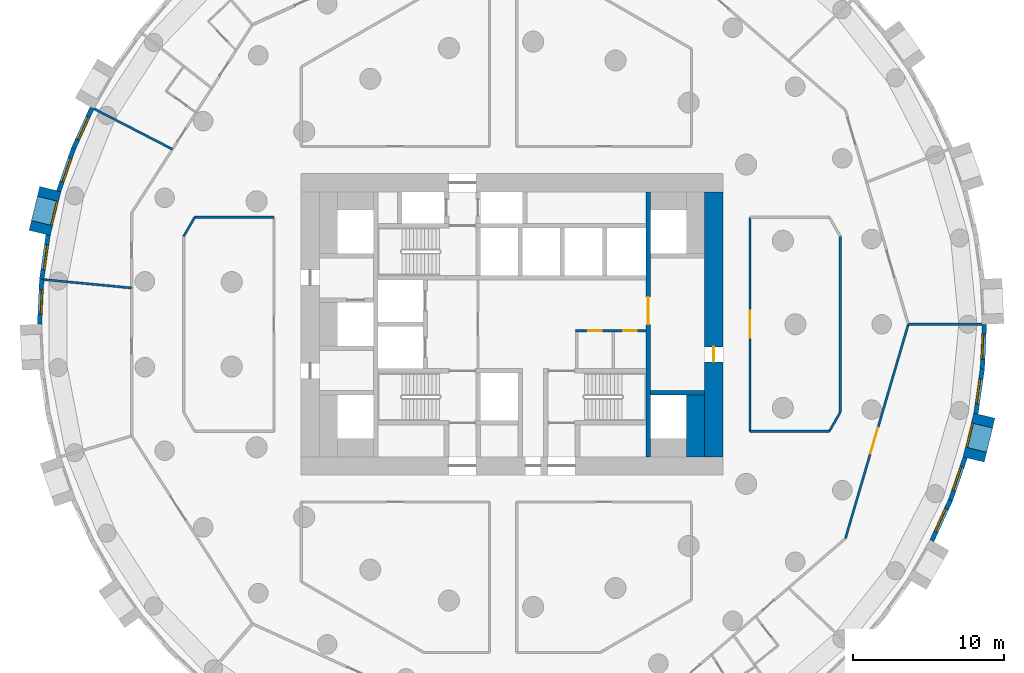
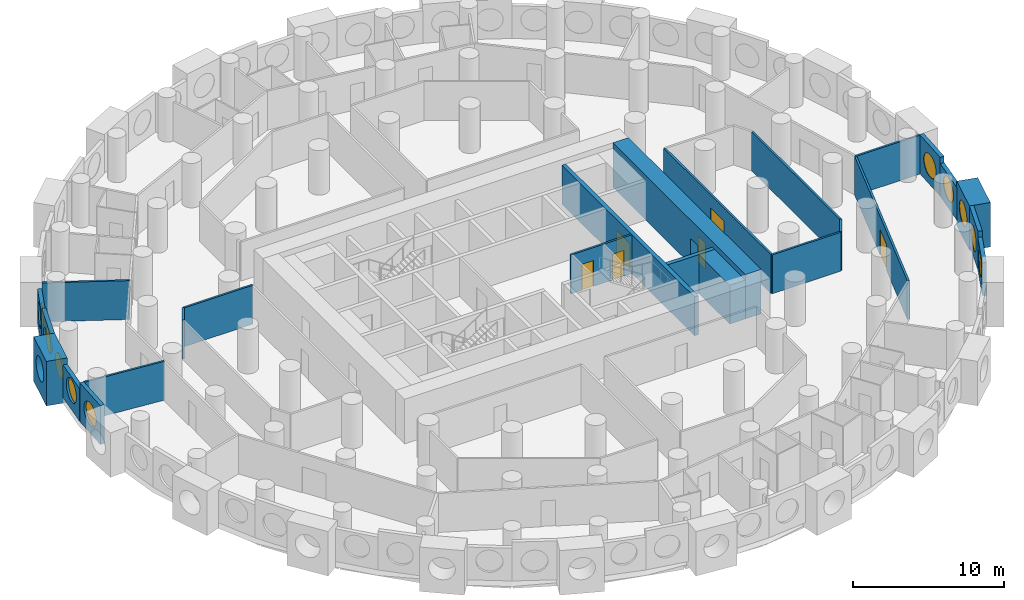
# One storey, part 6 of 11: 25 walls, 10 windows, 6 doors, 16 openings.
"""IFC4 building model written with IfcOpenShell, lengths in metres."""

from ifc_helpers import new_model, si_unit, direction, frame, frame_2d, origin, origin_2d, place, context, subcontext, project, spatial, rectangle, circle, extrude, material, layer, layer_set, type_object, element, fill, save


model = new_model("IFC4")

# Units and contexts
model_context = context("Model", 3, precision=1e-05, world=origin(), true_north=direction((0.0, 1.0)))
body_context = subcontext(model_context, "Body", "Model", "MODEL_VIEW")
ifc_project = project(units=[si_unit("LENGTHUNIT", "METRE"), si_unit("AREAUNIT", "SQUARE_METRE"), si_unit("VOLUMEUNIT", "CUBIC_METRE"), si_unit("PLANEANGLEUNIT", "RADIAN"), si_unit("MASSUNIT", "GRAM", prefix="KILO")], contexts=[model_context])

# Site, building, storey
site_placement = place(None, origin())
site = spatial("IfcSite", under=ifc_project, at=site_placement, CompositionType="ELEMENT")
building_placement = place(site_placement, origin())
building = spatial("IfcBuilding", under=site, at=building_placement, Name="Tracery Tower", CompositionType="ELEMENT")
storey_placement = place(building_placement, frame((0.0, 0.0, 96.60009765625)))
storey = spatial("IfcBuildingStorey", under=building, at=storey_placement, Name="L24", CompositionType="ELEMENT", Elevation=96.60009765625)

# Wall, openings, doors
ifc_material_1 = material(Name="Plasterboard on steel studs", Category="steel")
ifc_layer_1 = layer(ifc_material_1, 0.14990234375)
ifc_layer_set_1 = layer_set([ifc_layer_1], Name="Core room partition 150")
wall_type_1 = type_object("IfcWallType", Name="Core room partition 150", PredefinedType="SOLIDWALL", material=ifc_layer_set_1)
wall_1_placement = place(storey_placement, frame((4.22509765625, -0.425048828125, 0.0), z_axis=(0.0, 0.0, 1.0), x_axis=(1.0, 0.0, 0.0)))
wall_1 = element("IfcWall", 1, at=wall_1_placement, inside=storey, type_object=wall_type_1, Name="L24 slot N", PredefinedType="SOLIDWALL", context=body_context, shape_type="SweptSolid", body=[
    extrude(rectangle(XDim=4.6748046875, YDim=0.14990234375, at=frame_2d((2.33740234375, 0.0))), origin(), (0.0, 0.0, 1.0), 3.14990234375),
])
opening_1_placement = place(wall_1_placement, frame((0.83740234375, 0.0, 0.0)))
opening_1 = element("IfcOpeningElement", 2, at=opening_1_placement, cuts=wall_1, Name="Opening KD27", PredefinedType="OPENING", context=body_context, shape_type="SweptSolid", body=[
    extrude(rectangle(XDim=0.89990234375, YDim=2.10009765625, at=frame_2d((0.449951171875, 1.050048828125))), frame((0.0, 0.074951171875, 0.0), z_axis=(0.0, -1.0, 0.0), x_axis=(1.0, 0.0, 0.0)), (0.0, 0.0, 1.0), 0.14990234375),
])
opening_2_placement = place(wall_1_placement, frame((3.175048828125, 0.0, 0.0)))
opening_2 = element("IfcOpeningElement", 3, at=opening_2_placement, cuts=wall_1, Name="Opening KD21", PredefinedType="OPENING", context=body_context, shape_type="SweptSolid", body=[
    extrude(rectangle(XDim=0.89990234375, YDim=2.10009765625, at=frame_2d((0.449951171875, 1.050048828125))), frame((0.0, 0.074951171875, 0.0), z_axis=(0.0, -1.0, 0.0), x_axis=(1.0, 0.0, 0.0)), (0.0, 0.0, 1.0), 0.14990234375),
])
ifc_material_2 = material(Name="Timber door leaf", Category="wood")
door_type_1 = type_object("IfcDoorType", Name="Core WC door 900", OperationType="NOTDEFINED", PredefinedType="DOOR", material=ifc_material_2)
door_1_placement = place(opening_2_placement, origin())
door_1 = element("IfcDoor", 4, at=door_1_placement, inside=storey, type_object=door_type_1, Name="Core door", OperationType="SINGLE_SWING_LEFT", OverallHeight=2.10009765625, OverallWidth=0.89990234375, PredefinedType="DOOR", context=body_context, shape_type="SweptSolid", body=[
    extrude(rectangle(XDim=0.89990234375, YDim=2.10009765625, at=frame_2d((0.449951171875, 1.050048828125))), frame((0.0, 0.02490234375, 0.0), z_axis=(0.0, -1.0, 0.0), x_axis=(1.0, 0.0, 0.0)), (0.0, 0.0, 1.0), 0.050048828125),
])
fill(opening_2, door_1)
ifc_material_3 = material(Name="Timber door leaf", Category="wood")
door_type_2 = type_object("IfcDoorType", Name="Core store door 900", OperationType="NOTDEFINED", PredefinedType="DOOR", material=ifc_material_3)
door_2_placement = place(opening_1_placement, origin())
door_2 = element("IfcDoor", 5, at=door_2_placement, inside=storey, type_object=door_type_2, Name="Core door", OperationType="SINGLE_SWING_RIGHT", OverallHeight=2.10009765625, OverallWidth=0.89990234375, PredefinedType="DOOR", context=body_context, shape_type="SweptSolid", body=[
    extrude(rectangle(XDim=0.89990234375, YDim=2.10009765625, at=frame_2d((0.449951171875, 1.050048828125))), frame((0.0, 0.02490234375, 0.0), z_axis=(0.0, -1.0, 0.0), x_axis=(1.0, 0.0, 0.0)), (0.0, 0.0, 1.0), 0.050048828125),
])
fill(opening_1, door_2)

# Wall
ifc_material_4 = material(Name="Concrete C60/75", Category="concrete")
ifc_layer_2 = layer(ifc_material_4, 1.199951171875)
ifc_layer_set_2 = layer_set([ifc_layer_2], Name="Core strip wall 1200 C60")
wall_type_2 = type_object("IfcWallType", Name="Core strip wall 1200 C60", PredefinedType="SOLIDWALL", material=ifc_layer_set_2)
wall_2_placement = place(storey_placement, frame((12.199951171875, -8.800048828125, 0.0), z_axis=(0.0, 0.0, 1.0), x_axis=(0.0, 1.0, 0.0)))
element("IfcWall", 6, at=wall_2_placement, inside=storey, type_object=wall_type_2, Name="L24 wing strip +1 -9.4", PredefinedType="SOLIDWALL", context=body_context, shape_type="SweptSolid", body=[
    extrude(rectangle(XDim=4.10009765625, YDim=1.199951171875, at=frame_2d((2.050048828125, 0.0))), origin(), (0.0, 0.0, 1.0), 3.14990234375),
])

# Wall, opening, door
ifc_material_5 = material(Name="Concrete C60/75", Category="concrete")
ifc_layer_3 = layer(ifc_material_5, 1.199951171875)
ifc_layer_set_3 = layer_set([ifc_layer_3], Name="Core wall 1200 C60")
wall_type_3 = type_object("IfcWallType", Name="Core wall 1200 C60", PredefinedType="SOLIDWALL", material=ifc_layer_set_3)
wall_3_placement = place(storey_placement, frame((13.39990234375, -8.800048828125, 0.0), z_axis=(0.0, 0.0, 1.0), x_axis=(0.0, 1.0, 0.0)))
wall_3 = element("IfcWall", 7, at=wall_3_placement, inside=storey, type_object=wall_type_3, Name="L24 outer E", PredefinedType="SOLIDWALL", context=body_context, shape_type="SweptSolid", body=[
    extrude(rectangle(XDim=17.60009765625, YDim=1.199951171875, at=frame_2d((8.800048828125, 0.0))), origin(), (0.0, 0.0, 1.0), 3.599853515625),
])
opening_3_placement = place(wall_3_placement, frame((6.300048828125, 0.0, 0.0)))
opening_3 = element("IfcOpeningElement", 8, at=opening_3_placement, cuts=wall_3, Name="Opening KD18", PredefinedType="OPENING", context=body_context, shape_type="SweptSolid", body=[
    extrude(rectangle(XDim=1.0, YDim=2.10009765625, at=frame_2d((0.5, 1.050048828125))), frame((0.0, 0.60009765625, 0.0), z_axis=(0.0, -1.0, 0.0), x_axis=(1.0, 0.0, 0.0)), (0.0, 0.0, 1.0), 1.199951171875),
])
ifc_material_6 = material(Name="Steel fire door", Category="steel")
door_type_3 = type_object("IfcDoorType", Name="Core exit door 1000", OperationType="NOTDEFINED", PredefinedType="DOOR", material=ifc_material_6)
door_3_placement = place(opening_3_placement, origin())
door_3 = element("IfcDoor", 9, at=door_3_placement, inside=storey, type_object=door_type_3, Name="Core exit door", OperationType="DOUBLE_DOOR_SINGLE_SWING", OverallHeight=2.10009765625, OverallWidth=1.0, PredefinedType="DOOR", context=body_context, shape_type="SweptSolid", body=[
    extrude(rectangle(XDim=1.0, YDim=2.10009765625, at=frame_2d((0.5, 1.050048828125))), frame((0.0, 0.02490234375, 0.0), z_axis=(0.0, -1.0, 0.0), x_axis=(1.0, 0.0, 0.0)), (0.0, 0.0, 1.0), 0.050048828125),
])
fill(opening_3, door_3)

# Wall, opening, window
ifc_material_7 = material(Name="Precast concrete C50/60", Category="concrete")
ifc_layer_4 = layer(ifc_material_7, 1.449951171875)
ifc_layer_set_4 = layer_set([ifc_layer_4], Name="Deep-set bay unit 3000 x 3600, slab edge 450")
wall_type_4 = type_object("IfcWallType", Name="Deep-set bay unit 3000 x 3600, slab edge 450", PredefinedType="ELEMENTEDWALL", material=ifc_layer_set_4)
wall_4_placement = place(storey_placement, frame((-30.66064453125, 8.981689453125, -0.4501953125), z_axis=(0.0, 0.0, 1.0), x_axis=(-0.235751415068, -0.971813392732, 0.0)))
wall_4 = element("IfcWall", 10, at=wall_4_placement, inside=storey, type_object=wall_type_4, Name="Deep-set bay unit 31 at L24", PredefinedType="ELEMENTEDWALL", context=body_context, shape_type="SweptSolid", body=[
    extrude(rectangle(XDim=3.0, YDim=1.449951171875, at=frame_2d((1.5, 0.0))), origin(), (0.0, 0.0, 1.0), 3.60009765625),
])
opening_4_placement = place(wall_4_placement, frame((1.5, 0.0, 2.0)))
opening_4 = element("IfcOpeningElement", 11, at=opening_4_placement, cuts=wall_4, Name="Opening WN1", PredefinedType="OPENING", context=body_context, shape_type="SweptSolid", body=[
    extrude(circle(Radius=0.9000244140625, at=origin_2d()), frame((0.0, 0.73486328125, 0.0), z_axis=(0.0, -1.0, 0.0), x_axis=(1.0, 0.0, 0.0)), (0.0, 0.0, 1.0), 1.469970703125),
])
ifc_material_8 = material(Name="Aluminium frame with tinted double glazing", Category="aluminium")
window_type = type_object("IfcWindowType", Name="Round window 1800", PartitioningType="SINGLE_PANEL", PredefinedType="WINDOW", material=ifc_material_8)
window_1_placement = place(opening_4_placement, origin())
window_1 = element("IfcWindow", 12, at=window_1_placement, inside=storey, type_object=window_type, Name="Round window 31 at L24", OverallHeight=1.800048828125, OverallWidth=1.800048828125, PartitioningType="SINGLE_PANEL", PredefinedType="WINDOW", context=body_context, shape_type="SweptSolid", body=[
    extrude(circle(Radius=0.9000244140625, at=origin_2d()), frame((0.0, 0.69482421875, 0.0), z_axis=(0.0, -1.0, 0.0), x_axis=(1.0, 0.0, 0.0)), (0.0, 0.0, 1.0), 0.10009765625),
])
fill(opening_4, window_1)

wall_5_placement = place(storey_placement, frame((30.66064453125, -8.981689453125, -0.4501953125), z_axis=(0.0, 0.0, 1.0), x_axis=(0.235751415068, 0.971813392732, 0.0)))
wall_5 = element("IfcWall", 13, at=wall_5_placement, inside=storey, type_object=wall_type_4, Name="Deep-set bay unit 64 at L24", PredefinedType="ELEMENTEDWALL", context=body_context, shape_type="SweptSolid", body=[
    extrude(rectangle(XDim=3.0, YDim=1.449951171875, at=frame_2d((1.5, 0.0))), origin(), (0.0, 0.0, 1.0), 3.60009765625),
])
opening_5_placement = place(wall_5_placement, frame((1.5, 0.0, 2.0)))
opening_5 = element("IfcOpeningElement", 14, at=opening_5_placement, cuts=wall_5, Name="Opening WN1", PredefinedType="OPENING", context=body_context, shape_type="SweptSolid", body=[
    extrude(circle(Radius=0.9000244140625, at=origin_2d()), frame((0.0, 0.73486328125, 0.0), z_axis=(0.0, -1.0, 0.0), x_axis=(1.0, 0.0, 0.0)), (0.0, 0.0, 1.0), 1.469970703125),
])
window_2_placement = place(opening_5_placement, origin())
window_2 = element("IfcWindow", 15, at=window_2_placement, inside=storey, type_object=window_type, Name="Round window 64 at L24", OverallHeight=1.800048828125, OverallWidth=1.800048828125, PartitioningType="SINGLE_PANEL", PredefinedType="WINDOW", context=body_context, shape_type="SweptSolid", body=[
    extrude(circle(Radius=0.9000244140625, at=origin_2d()), frame((0.0, 0.69482421875, 0.0), z_axis=(0.0, -1.0, 0.0), x_axis=(1.0, 0.0, 0.0)), (0.0, 0.0, 1.0), 0.10009765625),
])
fill(opening_5, window_2)

ifc_material_9 = material(Name="Precast concrete C50/60", Category="concrete")
ifc_layer_5 = layer(ifc_material_9, 0.300048828125)
ifc_layer_set_5 = layer_set([ifc_layer_5], Name="Facade panel 3000 x 2650")
wall_type_5 = type_object("IfcWallType", Name="Facade panel 3000 x 2650", PredefinedType="SOLIDWALL", material=ifc_layer_set_5)
wall_6_placement = place(storey_placement, frame((-27.88916015625, 14.37109375, 0.0), z_axis=(0.0, 0.0, 1.0), x_axis=(-0.415407317162, -0.909635509888, 0.0)))
wall_6 = element("IfcWall", 16, at=wall_6_placement, inside=storey, type_object=wall_type_5, Name="Facade panel 29 at L24", PredefinedType="SOLIDWALL", context=body_context, shape_type="SweptSolid", body=[
    extrude(rectangle(XDim=2.979736328125, YDim=0.300048828125, at=frame_2d((1.48974609375, 0.0))), origin(), (0.0, 0.0, 1.0), 2.64990234375),
])
opening_6_placement = place(wall_6_placement, frame((1.48974609375, 0.0, 1.5498046875)))
opening_6 = element("IfcOpeningElement", 17, at=opening_6_placement, cuts=wall_6, Name="Opening WN1", PredefinedType="OPENING", context=body_context, shape_type="SweptSolid", body=[
    extrude(circle(Radius=0.9000244140625, at=origin_2d()), frame((0.0, 0.159912109375, 0.0), z_axis=(0.0, -1.0, 0.0), x_axis=(1.0, 0.0, 0.0)), (0.0, 0.0, 1.0), 0.320068359375),
])
window_3_placement = place(opening_6_placement, origin())
window_3 = element("IfcWindow", 18, at=window_3_placement, inside=storey, type_object=window_type, Name="Round window 29 at L24", OverallHeight=1.800048828125, OverallWidth=1.800048828125, PartitioningType="SINGLE_PANEL", PredefinedType="WINDOW", context=body_context, shape_type="SweptSolid", body=[
    extrude(circle(Radius=0.9000244140625, at=origin_2d()), frame((0.0, 0.1201171875, 0.0), z_axis=(0.0, -1.0, 0.0), x_axis=(1.0, 0.0, 0.0)), (0.0, 0.0, 1.0), 0.10009765625),
])
fill(opening_6, window_3)

wall_7_placement = place(storey_placement, frame((-30.808349609375, 5.931640625, 0.0), z_axis=(0.0, 0.0, 1.0), x_axis=(-0.142327539111, -0.989819615693, 0.0)))
wall_7 = element("IfcWall", 19, at=wall_7_placement, inside=storey, type_object=wall_type_5, Name="Facade panel 32 at L24", PredefinedType="SOLIDWALL", context=body_context, shape_type="SweptSolid", body=[
    extrude(rectangle(XDim=2.9794921875, YDim=0.300048828125, at=frame_2d((1.48974609375, 0.0))), origin(), (0.0, 0.0, 1.0), 2.64990234375),
])
opening_7_placement = place(wall_7_placement, frame((1.48974609375, 0.0, 1.5498046875)))
opening_7 = element("IfcOpeningElement", 20, at=opening_7_placement, cuts=wall_7, Name="Opening WN1", PredefinedType="OPENING", context=body_context, shape_type="SweptSolid", body=[
    extrude(circle(Radius=0.9000244140625, at=origin_2d()), frame((0.0, 0.159912109375, 0.0), z_axis=(0.0, -1.0, 0.0), x_axis=(1.0, 0.0, 0.0)), (0.0, 0.0, 1.0), 0.320068359375),
])
window_4_placement = place(opening_7_placement, origin())
window_4 = element("IfcWindow", 21, at=window_4_placement, inside=storey, type_object=window_type, Name="Round window 32 at L24", OverallHeight=1.800048828125, OverallWidth=1.800048828125, PartitioningType="SINGLE_PANEL", PredefinedType="WINDOW", context=body_context, shape_type="SweptSolid", body=[
    extrude(circle(Radius=0.9000244140625, at=origin_2d()), frame((0.0, 0.1201171875, 0.0), z_axis=(0.0, -1.0, 0.0), x_axis=(1.0, 0.0, 0.0)), (0.0, 0.0, 1.0), 0.10009765625),
])
fill(opening_7, window_4)

wall_8_placement = place(storey_placement, frame((27.88916015625, -14.37109375, 0.0), z_axis=(0.0, 0.0, 1.0), x_axis=(0.415407317162, 0.909635509888, 0.0)))
wall_8 = element("IfcWall", 22, at=wall_8_placement, inside=storey, type_object=wall_type_5, Name="Facade panel 62 at L24", PredefinedType="SOLIDWALL", context=body_context, shape_type="SweptSolid", body=[
    extrude(rectangle(XDim=2.979736328125, YDim=0.300048828125, at=frame_2d((1.48974609375, 0.0))), origin(), (0.0, 0.0, 1.0), 2.64990234375),
])
opening_8_placement = place(wall_8_placement, frame((1.48974609375, 0.0, 1.5498046875)))
opening_8 = element("IfcOpeningElement", 23, at=opening_8_placement, cuts=wall_8, Name="Opening WN1", PredefinedType="OPENING", context=body_context, shape_type="SweptSolid", body=[
    extrude(circle(Radius=0.9000244140625, at=origin_2d()), frame((0.0, 0.159912109375, 0.0), z_axis=(0.0, -1.0, 0.0), x_axis=(1.0, 0.0, 0.0)), (0.0, 0.0, 1.0), 0.320068359375),
])
window_5_placement = place(opening_8_placement, origin())
window_5 = element("IfcWindow", 24, at=window_5_placement, inside=storey, type_object=window_type, Name="Round window 62 at L24", OverallHeight=1.800048828125, OverallWidth=1.800048828125, PartitioningType="SINGLE_PANEL", PredefinedType="WINDOW", context=body_context, shape_type="SweptSolid", body=[
    extrude(circle(Radius=0.9000244140625, at=origin_2d()), frame((0.0, 0.1201171875, 0.0), z_axis=(0.0, -1.0, 0.0), x_axis=(1.0, 0.0, 0.0)), (0.0, 0.0, 1.0), 0.10009765625),
])
fill(opening_8, window_5)

wall_9_placement = place(storey_placement, frame((30.808349609375, -5.931640625, 0.0), z_axis=(0.0, 0.0, 1.0), x_axis=(0.142327539111, 0.989819615693, 0.0)))
wall_9 = element("IfcWall", 25, at=wall_9_placement, inside=storey, type_object=wall_type_5, Name="Facade panel 65 at L24", PredefinedType="SOLIDWALL", context=body_context, shape_type="SweptSolid", body=[
    extrude(rectangle(XDim=2.9794921875, YDim=0.300048828125, at=frame_2d((1.48974609375, 0.0))), origin(), (0.0, 0.0, 1.0), 2.64990234375),
])
opening_9_placement = place(wall_9_placement, frame((1.48974609375, 0.0, 1.5498046875)))
opening_9 = element("IfcOpeningElement", 26, at=opening_9_placement, cuts=wall_9, Name="Opening WN1", PredefinedType="OPENING", context=body_context, shape_type="SweptSolid", body=[
    extrude(circle(Radius=0.9000244140625, at=origin_2d()), frame((0.0, 0.159912109375, 0.0), z_axis=(0.0, -1.0, 0.0), x_axis=(1.0, 0.0, 0.0)), (0.0, 0.0, 1.0), 0.320068359375),
])
window_6_placement = place(opening_9_placement, origin())
window_6 = element("IfcWindow", 27, at=window_6_placement, inside=storey, type_object=window_type, Name="Round window 65 at L24", OverallHeight=1.800048828125, OverallWidth=1.800048828125, PartitioningType="SINGLE_PANEL", PredefinedType="WINDOW", context=body_context, shape_type="SweptSolid", body=[
    extrude(circle(Radius=0.9000244140625, at=origin_2d()), frame((0.0, 0.1201171875, 0.0), z_axis=(0.0, -1.0, 0.0), x_axis=(1.0, 0.0, 0.0)), (0.0, 0.0, 1.0), 0.10009765625),
])
fill(opening_9, window_6)

ifc_material_10 = material(Name="Precast concrete C50/60", Category="concrete")
ifc_layer_6 = layer(ifc_material_10, 0.300048828125)
ifc_layer_set_6 = layer_set([ifc_layer_6], Name="Facade panel 3000 x 3150")
wall_type_6 = type_object("IfcWallType", Name="Facade panel 3000 x 3150", PredefinedType="SOLIDWALL", material=ifc_layer_set_6)
wall_10_placement = place(storey_placement, frame((-29.126953125, 11.66064453125, 0.0), z_axis=(0.0, 0.0, 1.0), x_axis=(-0.327096492592, -0.944990944154, 0.0)))
wall_10 = element("IfcWall", 28, at=wall_10_placement, inside=storey, type_object=wall_type_6, Name="Facade panel 30 at L24", PredefinedType="SOLIDWALL", context=body_context, shape_type="SweptSolid", body=[
    extrude(rectangle(XDim=2.9794921875, YDim=0.300048828125, at=frame_2d((1.48974609375, 0.0))), origin(), (0.0, 0.0, 1.0), 3.14990234375),
])
opening_10_placement = place(wall_10_placement, frame((1.48974609375, 0.0, 1.5498046875)))
opening_10 = element("IfcOpeningElement", 29, at=opening_10_placement, cuts=wall_10, Name="Opening WN1", PredefinedType="OPENING", context=body_context, shape_type="SweptSolid", body=[
    extrude(circle(Radius=0.9000244140625, at=origin_2d()), frame((0.0, 0.159912109375, 0.0), z_axis=(0.0, -1.0, 0.0), x_axis=(1.0, 0.0, 0.0)), (0.0, 0.0, 1.0), 0.320068359375),
])
window_7_placement = place(opening_10_placement, origin())
window_7 = element("IfcWindow", 30, at=window_7_placement, inside=storey, type_object=window_type, Name="Round window 30 at L24", OverallHeight=1.800048828125, OverallWidth=1.800048828125, PartitioningType="SINGLE_PANEL", PredefinedType="WINDOW", context=body_context, shape_type="SweptSolid", body=[
    extrude(circle(Radius=0.9000244140625, at=origin_2d()), frame((0.0, 0.1201171875, 0.0), z_axis=(0.0, -1.0, 0.0), x_axis=(1.0, 0.0, 0.0)), (0.0, 0.0, 1.0), 0.10009765625),
])
fill(opening_10, window_7)

wall_11_placement = place(storey_placement, frame((-31.232421875, 2.982421875, 0.0), z_axis=(0.0, 0.0, 1.0), x_axis=(-0.047522328113, -0.998870175914, 0.0)))
wall_11 = element("IfcWall", 31, at=wall_11_placement, inside=storey, type_object=wall_type_6, Name="Facade panel 33 at L24", PredefinedType="SOLIDWALL", context=body_context, shape_type="SweptSolid", body=[
    extrude(rectangle(XDim=2.979736328125, YDim=0.300048828125, at=frame_2d((1.48974609375, 0.0))), origin(), (0.0, 0.0, 1.0), 3.14990234375),
])
opening_11_placement = place(wall_11_placement, frame((1.48974609375, 0.0, 1.5498046875)))
opening_11 = element("IfcOpeningElement", 32, at=opening_11_placement, cuts=wall_11, Name="Opening WN1", PredefinedType="OPENING", context=body_context, shape_type="SweptSolid", body=[
    extrude(circle(Radius=0.9000244140625, at=origin_2d()), frame((0.0, 0.159912109375, 0.0), z_axis=(0.0, -1.0, 0.0), x_axis=(1.0, 0.0, 0.0)), (0.0, 0.0, 1.0), 0.320068359375),
])
window_8_placement = place(opening_11_placement, origin())
window_8 = element("IfcWindow", 33, at=window_8_placement, inside=storey, type_object=window_type, Name="Round window 33 at L24", OverallHeight=1.800048828125, OverallWidth=1.800048828125, PartitioningType="SINGLE_PANEL", PredefinedType="WINDOW", context=body_context, shape_type="SweptSolid", body=[
    extrude(circle(Radius=0.9000244140625, at=origin_2d()), frame((0.0, 0.1201171875, 0.0), z_axis=(0.0, -1.0, 0.0), x_axis=(1.0, 0.0, 0.0)), (0.0, 0.0, 1.0), 0.10009765625),
])
fill(opening_11, window_8)

wall_12_placement = place(storey_placement, frame((29.126953125, -11.66064453125, 0.0), z_axis=(0.0, 0.0, 1.0), x_axis=(0.327096492592, 0.944990944154, 0.0)))
wall_12 = element("IfcWall", 34, at=wall_12_placement, inside=storey, type_object=wall_type_6, Name="Facade panel 63 at L24", PredefinedType="SOLIDWALL", context=body_context, shape_type="SweptSolid", body=[
    extrude(rectangle(XDim=2.9794921875, YDim=0.300048828125, at=frame_2d((1.48974609375, 0.0))), origin(), (0.0, 0.0, 1.0), 3.14990234375),
])
opening_12_placement = place(wall_12_placement, frame((1.48974609375, 0.0, 1.5498046875)))
opening_12 = element("IfcOpeningElement", 35, at=opening_12_placement, cuts=wall_12, Name="Opening WN1", PredefinedType="OPENING", context=body_context, shape_type="SweptSolid", body=[
    extrude(circle(Radius=0.9000244140625, at=origin_2d()), frame((0.0, 0.159912109375, 0.0), z_axis=(0.0, -1.0, 0.0), x_axis=(1.0, 0.0, 0.0)), (0.0, 0.0, 1.0), 0.320068359375),
])
window_9_placement = place(opening_12_placement, origin())
window_9 = element("IfcWindow", 36, at=window_9_placement, inside=storey, type_object=window_type, Name="Round window 63 at L24", OverallHeight=1.800048828125, OverallWidth=1.800048828125, PartitioningType="SINGLE_PANEL", PredefinedType="WINDOW", context=body_context, shape_type="SweptSolid", body=[
    extrude(circle(Radius=0.9000244140625, at=origin_2d()), frame((0.0, 0.1201171875, 0.0), z_axis=(0.0, -1.0, 0.0), x_axis=(1.0, 0.0, 0.0)), (0.0, 0.0, 1.0), 0.10009765625),
])
fill(opening_12, window_9)

wall_13_placement = place(storey_placement, frame((31.232421875, -2.982421875, 0.0), z_axis=(0.0, 0.0, 1.0), x_axis=(0.047522328113, 0.998870175914, 0.0)))
wall_13 = element("IfcWall", 37, at=wall_13_placement, inside=storey, type_object=wall_type_6, Name="Facade panel 66 at L24", PredefinedType="SOLIDWALL", context=body_context, shape_type="SweptSolid", body=[
    extrude(rectangle(XDim=2.979736328125, YDim=0.300048828125, at=frame_2d((1.48974609375, 0.0))), origin(), (0.0, 0.0, 1.0), 3.14990234375),
])
opening_13_placement = place(wall_13_placement, frame((1.48974609375, 0.0, 1.5498046875)))
opening_13 = element("IfcOpeningElement", 38, at=opening_13_placement, cuts=wall_13, Name="Opening WN1", PredefinedType="OPENING", context=body_context, shape_type="SweptSolid", body=[
    extrude(circle(Radius=0.9000244140625, at=origin_2d()), frame((0.0, 0.159912109375, 0.0), z_axis=(0.0, -1.0, 0.0), x_axis=(1.0, 0.0, 0.0)), (0.0, 0.0, 1.0), 0.320068359375),
])
window_10_placement = place(opening_13_placement, origin())
window_10 = element("IfcWindow", 39, at=window_10_placement, inside=storey, type_object=window_type, Name="Round window 66 at L24", OverallHeight=1.800048828125, OverallWidth=1.800048828125, PartitioningType="SINGLE_PANEL", PredefinedType="WINDOW", context=body_context, shape_type="SweptSolid", body=[
    extrude(circle(Radius=0.9000244140625, at=origin_2d()), frame((0.0, 0.1201171875, 0.0), z_axis=(0.0, -1.0, 0.0), x_axis=(1.0, 0.0, 0.0)), (0.0, 0.0, 1.0), 0.10009765625),
])
fill(opening_13, window_10)

# Walls
ifc_material_11 = material(Name="Plasterboard on steel studs", Category="steel")
ifc_layer_7 = layer(ifc_material_11, 0.14990234375)
ifc_layer_set_7 = layer_set([ifc_layer_7], Name="Partition 150 acoustic unit wall")
wall_type_7 = type_object("IfcWallType", Name="Partition 150 acoustic unit wall", PredefinedType="PARTITIONING", material=ifc_layer_set_7)
wall_14_placement = place(storey_placement, frame((26.319091796875, 0.0, 0.0), z_axis=(0.0, 0.0, 1.0), x_axis=(1.0, 0.0, 0.0)))
element("IfcWall", 40, at=wall_14_placement, inside=storey, type_object=wall_type_7, Name="Unit wall RA7-047", PredefinedType="PARTITIONING", context=body_context, shape_type="SweptSolid", body=[
    extrude(rectangle(XDim=4.905029296875, YDim=0.14990234375, at=frame_2d((2.45263671875, 0.0))), origin(), (0.0, 0.0, 1.0), 3.14990234375),
])
wall_15_placement = place(storey_placement, frame((-27.7529296875, 14.30810546875, 0.0), z_axis=(0.0, 0.0, 1.0), x_axis=(0.88877955153, -0.45833493079, 0.0)))
element("IfcWall", 41, at=wall_15_placement, inside=storey, type_object=wall_type_7, Name="Unit wall RA7-068", PredefinedType="PARTITIONING", context=body_context, shape_type="SweptSolid", body=[
    extrude(rectangle(XDim=5.856201171875, YDim=0.14990234375, at=frame_2d((2.92822265625, 0.0))), origin(), (0.0, 0.0, 1.0), 3.14990234375),
])
wall_16_placement = place(storey_placement, frame((-31.0830078125, 2.968017578125, 0.0), z_axis=(0.0, 0.0, 1.0), x_axis=(0.995465070325, -0.095127775983, 0.0)))
element("IfcWall", 42, at=wall_16_placement, inside=storey, type_object=wall_type_7, Name="Unit wall RA7-069", PredefinedType="PARTITIONING", context=body_context, shape_type="SweptSolid", body=[
    extrude(rectangle(XDim=5.856689453125, YDim=0.14990234375, at=frame_2d((2.92822265625, 0.0))), origin(), (0.0, 0.0, 1.0), 3.14990234375),
])

# Wall, opening, door
ifc_material_12 = material(Name="Plasterboard on steel studs", Category="steel")
ifc_layer_8 = layer(ifc_material_12, 0.14990234375)
ifc_layer_set_8 = layer_set([ifc_layer_8], Name="Partition 150 corridor wall")
wall_type_8 = type_object("IfcWallType", Name="Partition 150 corridor wall", PredefinedType="PARTITIONING", material=ifc_layer_set_8)
wall_17_placement = place(storey_placement, frame((15.800048828125, -7.10400390625, 0.0), z_axis=(0.0, 0.0, 1.0), x_axis=(0.0, 1.0, 0.0)))
wall_17 = element("IfcWall", 43, at=wall_17_placement, inside=storey, type_object=wall_type_8, Name="Corridor wall RA7-005", PredefinedType="PARTITIONING", context=body_context, shape_type="SweptSolid", body=[
    extrude(rectangle(XDim=14.2080078125, YDim=0.14990234375, at=frame_2d((7.10400390625, 0.0))), origin(), (0.0, 0.0, 1.0), 3.14990234375),
])
opening_14_placement = place(wall_17_placement, frame((6.2041015625, 0.0, 0.0)))
opening_14 = element("IfcOpeningElement", 44, at=opening_14_placement, cuts=wall_17, Name="Opening RA7-05", PredefinedType="OPENING", context=body_context, shape_type="SweptSolid", body=[
    extrude(rectangle(XDim=1.800048828125, YDim=2.10009765625, at=frame_2d((0.89990234375, 1.050048828125))), frame((0.0, 0.074951171875, 0.0), z_axis=(0.0, -1.0, 0.0), x_axis=(1.0, 0.0, 0.0)), (0.0, 0.0, 1.0), 0.14990234375),
])
ifc_material_13 = material(Name="Timber door leaf", Category="wood")
door_type_4 = type_object("IfcDoorType", Name="Door double lounge 1800", OperationType="NOTDEFINED", PredefinedType="DOOR", material=ifc_material_13)
door_4_placement = place(opening_14_placement, origin())
door_4 = element("IfcDoor", 45, at=door_4_placement, inside=storey, type_object=door_type_4, Name="Double lounge door RA7-05", OperationType="DOUBLE_DOOR_SINGLE_SWING", OverallHeight=2.10009765625, OverallWidth=1.800048828125, PredefinedType="DOOR", context=body_context, shape_type="SweptSolid", body=[
    extrude(rectangle(XDim=1.800048828125, YDim=2.10009765625, at=frame_2d((0.89990234375, 1.050048828125))), frame((0.0, 0.02490234375, 0.0), z_axis=(0.0, -1.0, 0.0), x_axis=(1.0, 0.0, 0.0)), (0.0, 0.0, 1.0), 0.050048828125),
])
fill(opening_14, door_4)

# Walls
wall_18_placement = place(storey_placement, frame((15.800048828125, -7.10009765625, 0.0), z_axis=(0.0, 0.0, 1.0), x_axis=(1.0, 0.0, 0.0)))
element("IfcWall", 46, at=wall_18_placement, inside=storey, type_object=wall_type_8, Name="Corridor wall RA7-007", PredefinedType="PARTITIONING", context=body_context, shape_type="SweptSolid", body=[
    extrude(rectangle(XDim=5.27587890625, YDim=0.14990234375, at=frame_2d((2.637939453125, 0.0))), origin(), (0.0, 0.0, 1.0), 3.14990234375),
])
wall_19_placement = place(storey_placement, frame((21.075927734375, -7.10009765625, 0.0), z_axis=(0.0, 0.0, 1.0), x_axis=(0.499863102386, 0.866104427234, 0.0)))
element("IfcWall", 47, at=wall_19_placement, inside=storey, type_object=wall_type_8, Name="Corridor wall RA7-008", PredefinedType="PARTITIONING", context=body_context, shape_type="SweptSolid", body=[
    extrude(rectangle(XDim=1.45263671875, YDim=0.14990234375, at=frame_2d((0.726318359375, 0.0))), origin(), (0.0, 0.0, 1.0), 3.14990234375),
])
wall_20_placement = place(storey_placement, frame((21.802001953125, -5.842041015625, 0.0), z_axis=(0.0, 0.0, 1.0), x_axis=(0.0, 1.0, 0.0)))
element("IfcWall", 48, at=wall_20_placement, inside=storey, type_object=wall_type_8, Name="Corridor wall RA7-009", PredefinedType="PARTITIONING", context=body_context, shape_type="SweptSolid", body=[
    extrude(rectangle(XDim=11.68408203125, YDim=0.14990234375, at=frame_2d((5.842041015625, 0.0))), origin(), (0.0, 0.0, 1.0), 3.14990234375),
])

# Wall, opening, door
wall_21_placement = place(storey_placement, frame((22.14111328125, -14.22900390625, 0.0), z_axis=(0.0, 0.0, 1.0), x_axis=(0.281730446162, 0.959493593363, 0.0)))
wall_21 = element("IfcWall", 49, at=wall_21_placement, inside=storey, type_object=wall_type_8, Name="Corridor wall RA7-015", PredefinedType="PARTITIONING", context=body_context, shape_type="SweptSolid", body=[
    extrude(rectangle(XDim=14.82958984375, YDim=0.14990234375, at=frame_2d((7.414794921875, 0.0))), origin(), (0.0, 0.0, 1.0), 3.14990234375),
])
opening_15_placement = place(wall_21_placement, frame((5.86474609375, 0.0, 0.0)))
opening_15 = element("IfcOpeningElement", 50, at=opening_15_placement, cuts=wall_21, Name="Opening RA7-37", PredefinedType="OPENING", context=body_context, shape_type="SweptSolid", body=[
    extrude(rectangle(XDim=1.800048828125, YDim=2.10009765625, at=frame_2d((0.89990234375, 1.050048828125))), frame((0.0, 0.074951171875, 0.0), z_axis=(0.0, -1.0, 0.0), x_axis=(1.0, 0.0, 0.0)), (0.0, 0.0, 1.0), 0.14990234375),
])
door_5_placement = place(opening_15_placement, origin())
door_5 = element("IfcDoor", 51, at=door_5_placement, inside=storey, type_object=door_type_4, Name="Double lounge door RA7-37", OperationType="DOUBLE_DOOR_SINGLE_SWING", OverallHeight=2.10009765625, OverallWidth=1.800048828125, PredefinedType="DOOR", context=body_context, shape_type="SweptSolid", body=[
    extrude(rectangle(XDim=1.800048828125, YDim=2.10009765625, at=frame_2d((0.89990234375, 1.050048828125))), frame((0.0, 0.02490234375, 0.0), z_axis=(0.0, -1.0, 0.0), x_axis=(1.0, 0.0, 0.0)), (0.0, 0.0, 1.0), 0.050048828125),
])
fill(opening_15, door_5)

# Walls
wall_22_placement = place(storey_placement, frame((-21.075927734375, 7.10009765625, 0.0), z_axis=(0.0, 0.0, 1.0), x_axis=(1.0, 0.0, 0.0)))
element("IfcWall", 52, at=wall_22_placement, inside=storey, type_object=wall_type_8, Name="Corridor wall RA7-028", PredefinedType="PARTITIONING", context=body_context, shape_type="SweptSolid", body=[
    extrude(rectangle(XDim=5.27587890625, YDim=0.14990234375, at=frame_2d((2.637939453125, 0.0))), origin(), (0.0, 0.0, 1.0), 3.14990234375),
])
wall_23_placement = place(storey_placement, frame((-21.802001953125, 5.842041015625, 0.0), z_axis=(0.0, 0.0, 1.0), x_axis=(0.499863102386, 0.866104427234, 0.0)))
element("IfcWall", 53, at=wall_23_placement, inside=storey, type_object=wall_type_8, Name="Corridor wall RA7-029", PredefinedType="PARTITIONING", context=body_context, shape_type="SweptSolid", body=[
    extrude(rectangle(XDim=1.45263671875, YDim=0.14990234375, at=frame_2d((0.726318359375, 0.0))), origin(), (0.0, 0.0, 1.0), 3.14990234375),
])
ifc_material_14 = material(Name="Concrete C60/75", Category="concrete")
ifc_layer_9 = layer(ifc_material_14, 0.300048828125)
ifc_layer_set_9 = layer_set([ifc_layer_9], Name="Shaft wall 300 C60")
wall_type_9 = type_object("IfcWallType", Name="Shaft wall 300 C60", PredefinedType="SOLIDWALL", material=ifc_layer_set_9)
wall_24_placement = place(storey_placement, frame((9.199951171875, -4.550048828125, 0.0), z_axis=(0.0, 0.0, 1.0), x_axis=(1.0, 0.0, 0.0)))
element("IfcWall", 54, at=wall_24_placement, inside=storey, type_object=wall_type_9, Name="L24 wing shaft wall +1 -4.55", PredefinedType="SOLIDWALL", context=body_context, shape_type="SweptSolid", body=[
    extrude(rectangle(XDim=3.60009765625, YDim=0.300048828125, at=frame_2d((1.800048828125, 0.0))), origin(), (0.0, 0.0, 1.0), 3.14990234375),
])

# Wall, opening, door
ifc_material_15 = material(Name="Concrete C60/75", Category="concrete")
ifc_layer_10 = layer(ifc_material_15, 0.300048828125)
ifc_layer_set_10 = layer_set([ifc_layer_10], Name="Stair wall 300 C60")
wall_type_10 = type_object("IfcWallType", Name="Stair wall 300 C60", PredefinedType="SOLIDWALL", material=ifc_layer_set_10)
wall_25_placement = place(storey_placement, frame((9.050048828125, -8.800048828125, 0.0), z_axis=(0.0, 0.0, 1.0), x_axis=(0.0, 1.0, 0.0)))
wall_25 = element("IfcWall", 55, at=wall_25_placement, inside=storey, type_object=wall_type_10, Name="L24 F wall +9", PredefinedType="SOLIDWALL", context=body_context, shape_type="SweptSolid", body=[
    extrude(rectangle(XDim=17.60009765625, YDim=0.300048828125, at=frame_2d((8.800048828125, 0.0))), origin(), (0.0, 0.0, 1.0), 3.14990234375),
])
opening_16_placement = place(wall_25_placement, frame((8.800048828125, 0.0, 0.0)))
opening_16 = element("IfcOpeningElement", 56, at=opening_16_placement, cuts=wall_25, Name="Opening KD13", PredefinedType="OPENING", context=body_context, shape_type="SweptSolid", body=[
    extrude(rectangle(XDim=1.800048828125, YDim=2.10009765625, at=frame_2d((0.89990234375, 1.050048828125))), frame((0.0, 0.14990234375, 0.0), z_axis=(0.0, -1.0, 0.0), x_axis=(1.0, 0.0, 0.0)), (0.0, 0.0, 1.0), 0.300048828125),
])
ifc_material_16 = material(Name="Steel fire door", Category="steel")
door_type_5 = type_object("IfcDoorType", Name="Core exit door 1800 double", OperationType="NOTDEFINED", PredefinedType="DOOR", material=ifc_material_16)
door_6_placement = place(opening_16_placement, origin())
door_6 = element("IfcDoor", 57, at=door_6_placement, inside=storey, type_object=door_type_5, Name="Core exit door", OperationType="DOUBLE_DOOR_SINGLE_SWING", OverallHeight=2.10009765625, OverallWidth=1.800048828125, PredefinedType="DOOR", context=body_context, shape_type="SweptSolid", body=[
    extrude(rectangle(XDim=1.800048828125, YDim=2.10009765625, at=frame_2d((0.89990234375, 1.050048828125))), frame((0.0, 0.02490234375, 0.0), z_axis=(0.0, -1.0, 0.0), x_axis=(1.0, 0.0, 0.0)), (0.0, 0.0, 1.0), 0.050048828125),
])
fill(opening_16, door_6)

save(model, "model.ifc")
